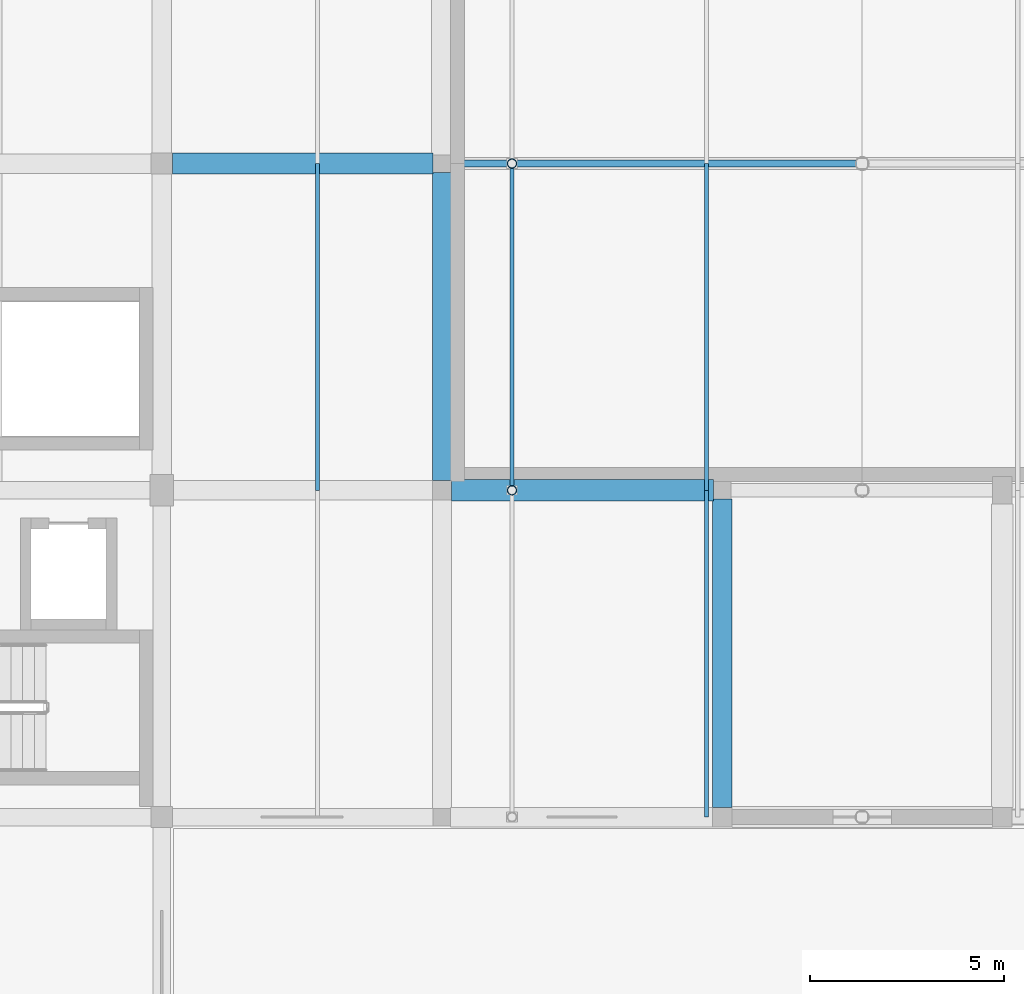
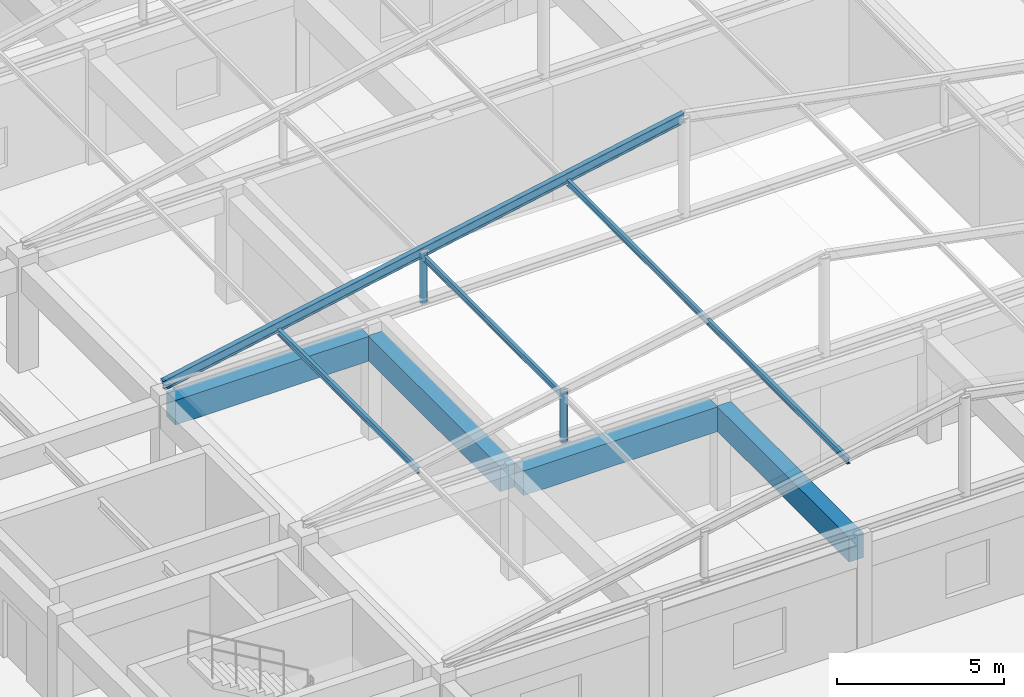
# One storey, part 30 of 74: 7 members, 4 beams.
"""IFC4 building model written with IfcOpenShell, lengths in metres."""

from ifc_helpers import new_model, si_unit, direction, frame, origin, origin_2d, place, context, subcontext, project, spatial, rectangle, hollow_circle, i_section, extrude, material, material_profile, profile_set, type_object, element, save


model = new_model("IFC4")

# Units and contexts
model_context = context("Model", 3, precision=1e-05, world=origin(), true_north=direction((0.0, 1.0)))
body_context = subcontext(model_context, "Body", "Model", "MODEL_VIEW")
ifc_project = project(units=[si_unit("LENGTHUNIT", "METRE"), si_unit("AREAUNIT", "SQUARE_METRE"), si_unit("VOLUMEUNIT", "CUBIC_METRE"), si_unit("PLANEANGLEUNIT", "RADIAN"), si_unit("MASSUNIT", "GRAM", prefix="KILO")], contexts=[model_context])

# Site, building, storey
site_placement = place(None, origin())
site = spatial("IfcSite", under=ifc_project, at=site_placement, CompositionType="ELEMENT")
building_placement = place(site_placement, origin())
building = spatial("IfcBuilding", under=site, at=building_placement, Name="Korsvaeld Concert Hall", CompositionType="ELEMENT")
storey_placement = place(building_placement, frame((0.0, 0.0, 9.0)))
storey = spatial("IfcBuildingStorey", under=building, at=storey_placement, Name="L02", CompositionType="ELEMENT", Elevation=9.0)

# Beams
ifc_material_1 = material(Name="Concrete C40/50", Category="concrete")
ifc_material_profile_1 = material_profile(ifc_material_1, rectangle(XDim=0.5, YDim=0.89990234375, at=origin_2d()), Name="RC 500x900")
ifc_profile_set_1 = profile_set([ifc_material_profile_1], Name="Concrete C40/50")
beam_type_1 = type_object("IfcBeamType", Name="BM-RC-500x900", PredefinedType="T_BEAM", material=ifc_profile_set_1)
beam_1_placement = place(storey_placement, frame((124.800048828125, 51.85009765625, 3.389892578125), z_axis=(0.0, 1.0, 0.0), x_axis=(-1.0, 0.0, 0.0)))
element("IfcBeam", 1, at=beam_1_placement, inside=storey, type_object=beam_type_1, Name="Primary girder 17/H-J L02", PredefinedType="T_BEAM", context=body_context, shape_type="SweptSolid", body=[
    extrude(rectangle(XDim=0.5, YDim=0.89990234375, at=origin_2d()), origin(), (0.0, 0.0, 1.0), 7.9248046875),
])
beam_2_placement = place(storey_placement, frame((132.0, 43.449951171875, 3.389892578125), z_axis=(0.0, 1.0, 0.0), x_axis=(-1.0, 0.0, 0.0)))
element("IfcBeam", 2, at=beam_2_placement, inside=storey, type_object=beam_type_1, Name="Primary girder 18/G-H L02", PredefinedType="T_BEAM", context=body_context, shape_type="SweptSolid", body=[
    extrude(rectangle(XDim=0.5, YDim=0.89990234375, at=origin_2d()), origin(), (0.0, 0.0, 1.0), 7.925048828125),
])
ifc_material_profile_2 = material_profile(ifc_material_1, rectangle(XDim=0.550048828125, YDim=0.89990234375, at=origin_2d()), Name="RC 550x900")
ifc_profile_set_2 = profile_set([ifc_material_profile_2], Name="Concrete C40/50")
beam_type_2 = type_object("IfcBeamType", Name="BM-RC-550x900", PredefinedType="T_BEAM", material=ifc_profile_set_2)
beam_3_placement = place(storey_placement, frame((125.050048828125, 51.60009765625, 3.389892578125), z_axis=(1.0, 0.0, 0.0), x_axis=(0.0, 1.0, 0.0)))
element("IfcBeam", 3, at=beam_3_placement, inside=storey, type_object=beam_type_2, Name="Primary girder 17-18/H L02", PredefinedType="T_BEAM", context=body_context, shape_type="SweptSolid", body=[
    extrude(rectangle(XDim=0.550048828125, YDim=0.89990234375, at=origin_2d()), origin(), (0.0, 0.0, 1.0), 6.724853515625),
])
beam_4_placement = place(storey_placement, frame((117.875, 60.0, 3.389892578125), z_axis=(1.0, 0.0, 0.0), x_axis=(0.0, 1.0, 0.0)))
element("IfcBeam", 4, at=beam_4_placement, inside=storey, type_object=beam_type_2, Name="Primary girder 16-17/J L02", PredefinedType="T_BEAM", context=body_context, shape_type="SweptSolid", body=[
    extrude(rectangle(XDim=0.550048828125, YDim=0.89990234375, at=origin_2d()), origin(), (0.0, 0.0, 1.0), 6.699951171875),
])

# Members
ifc_material_2 = material(Name="Steel S355J2", Category="steel")
ifc_material_profile_3 = material_profile(ifc_material_2, i_section(OverallWidth=0.110107421875, OverallDepth=0.219970703125, WebThickness=0.005859375, FlangeThickness=0.00927734375, FilletRadius=0.011962890625, at=origin_2d()), Name="IPE 220")
ifc_profile_set_3 = profile_set([ifc_material_profile_3], Name="Steel S355J2")
member_type_1 = type_object("IfcMemberType", Name="MEM-PUR-IPE220", PredefinedType="PURLIN", material=ifc_profile_set_3)
for number, where, z_axis, x_axis, name in (
    (5, (121.60009765625, 51.60009765625, 4.89990234375), (0.0, 1.0, 0.0), (-1.0, 0.0, 0.0), "Chamber Hall roof purlin 121.2"),
    (6, (126.60009765625, 51.60009765625, 5.8798828125), (0.0, 1.0, 0.0), (-1.0, 0.0, 0.0), "Chamber Hall roof purlin 126.2"),
):
    element("IfcMember", number, at=place(storey_placement, frame(where, z_axis=z_axis, x_axis=x_axis)), inside=storey, type_object=member_type_1, Name=name, PredefinedType="PURLIN", context=body_context, shape_type="SweptSolid", body=[
        extrude(i_section(OverallWidth=0.110107421875, OverallDepth=0.219970703125, WebThickness=0.005859375, FlangeThickness=0.00927734375, FilletRadius=0.011962890625, at=origin_2d()), origin(), (0.0, 0.0, 1.0), 8.39990234375),
    ])
member_1_placement = place(storey_placement, frame((131.60009765625, 43.199951171875, 6.85009765625), z_axis=(0.0, 1.0, 0.0), x_axis=(-1.0, 0.0, 0.0)))
element("IfcMember", 7, at=member_1_placement, inside=storey, type_object=member_type_1, Name="Chamber Hall roof purlin 131.1", PredefinedType="PURLIN", context=body_context, shape_type="SweptSolid", body=[
    extrude(i_section(OverallWidth=0.110107421875, OverallDepth=0.219970703125, WebThickness=0.005859375, FlangeThickness=0.00927734375, FilletRadius=0.011962890625, at=origin_2d()), origin(), (0.0, 0.0, 1.0), 8.400146484375),
])
member_2_placement = place(storey_placement, frame((131.60009765625, 51.60009765625, 6.85009765625), z_axis=(0.0, 1.0, 0.0), x_axis=(-1.0, 0.0, 0.0)))
element("IfcMember", 8, at=member_2_placement, inside=storey, type_object=member_type_1, Name="Chamber Hall roof purlin 131.2", PredefinedType="PURLIN", context=body_context, shape_type="SweptSolid", body=[
    extrude(i_section(OverallWidth=0.110107421875, OverallDepth=0.219970703125, WebThickness=0.005859375, FlangeThickness=0.00927734375, FilletRadius=0.011962890625, at=origin_2d()), origin(), (0.0, 0.0, 1.0), 8.39990234375),
])
ifc_material_profile_4 = material_profile(ifc_material_2, i_section(OverallWidth=0.169921875, OverallDepth=0.360107421875, WebThickness=0.008056640625, FlangeThickness=0.0126953125, FilletRadius=0.01806640625, at=origin_2d()), Name="IPE 360")
ifc_profile_set_4 = profile_set([ifc_material_profile_4], Name="Steel S355J2")
member_type_2 = type_object("IfcMemberType", Name="MEM-RAF-IPE360", PredefinedType="RAFTER", material=ifc_profile_set_4)
member_3_placement = place(storey_placement, frame((117.60009765625, 60.0, 4.35009765625), z_axis=(0.981615389669, 0.0, 0.190869659102), x_axis=(0.0, 1.0, 0.0)))
element("IfcMember", 9, at=member_3_placement, inside=storey, type_object=member_type_2, Name="Chamber Hall west pitched rafter 3", PredefinedType="RAFTER", context=body_context, shape_type="SweptSolid", body=[
    extrude(i_section(OverallWidth=0.169921875, OverallDepth=0.360107421875, WebThickness=0.008056640625, FlangeThickness=0.0126953125, FilletRadius=0.01806640625, at=origin_2d()), origin(), (0.0, 0.0, 1.0), 18.337158203125),
])
ifc_material_profile_5 = material_profile(ifc_material_2, hollow_circle(Radius=0.122314453125, WallThickness=0.012451171875, at=origin_2d()), Name="CHS 244.5x12.5")
ifc_profile_set_5 = profile_set([ifc_material_profile_5], Name="Steel S355J2")
member_type_3 = type_object("IfcMemberType", Name="MEM-STR-CHS244", PredefinedType="STRUT", material=ifc_profile_set_5)
for number, where, z_axis, x_axis, name in (
    (10, (126.60009765625, 51.60009765625, 4.25), (0.0, 0.0, 1.0), (1.0, 0.0, 0.0), "Chamber Hall truss web 2.126"),
    (11, (126.60009765625, 60.0, 4.25), (0.0, 0.0, 1.0), (1.0, 0.0, 0.0), "Chamber Hall truss web 3.126"),
):
    element("IfcMember", number, at=place(storey_placement, frame(where, z_axis=z_axis, x_axis=x_axis)), inside=storey, type_object=member_type_3, Name=name, PredefinedType="STRUT", context=body_context, shape_type="SweptSolid", body=[
        extrude(hollow_circle(Radius=0.122314453125, WallThickness=0.012451171875, at=origin_2d()), origin(), (0.0, 0.0, 1.0), 1.85009765625),
    ])

save(model, "model.ifc")
